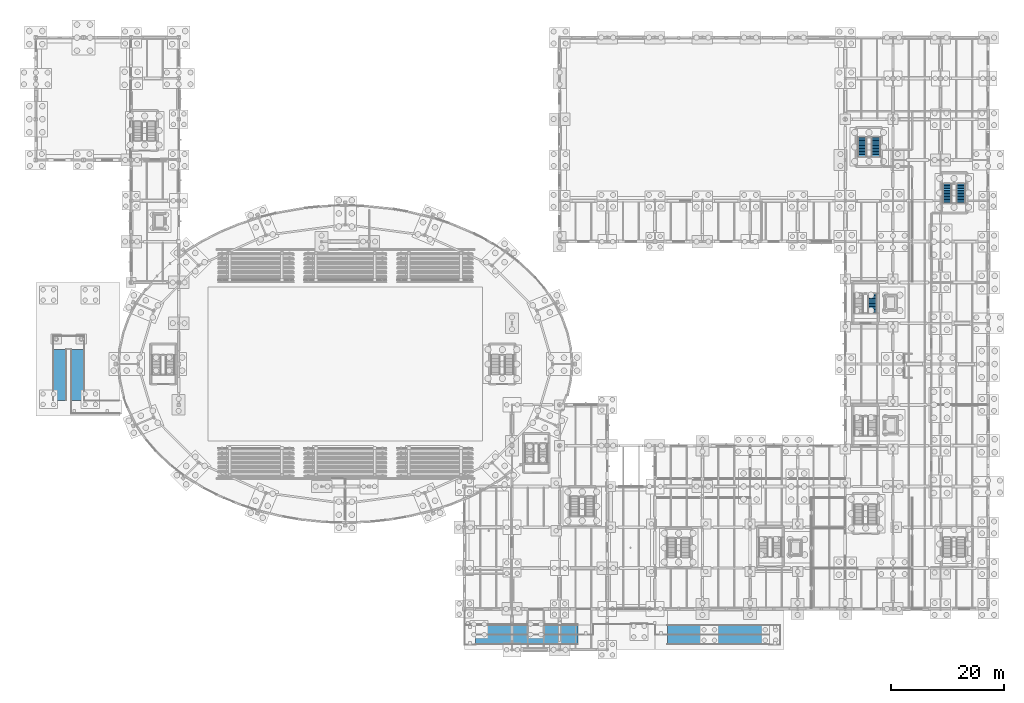
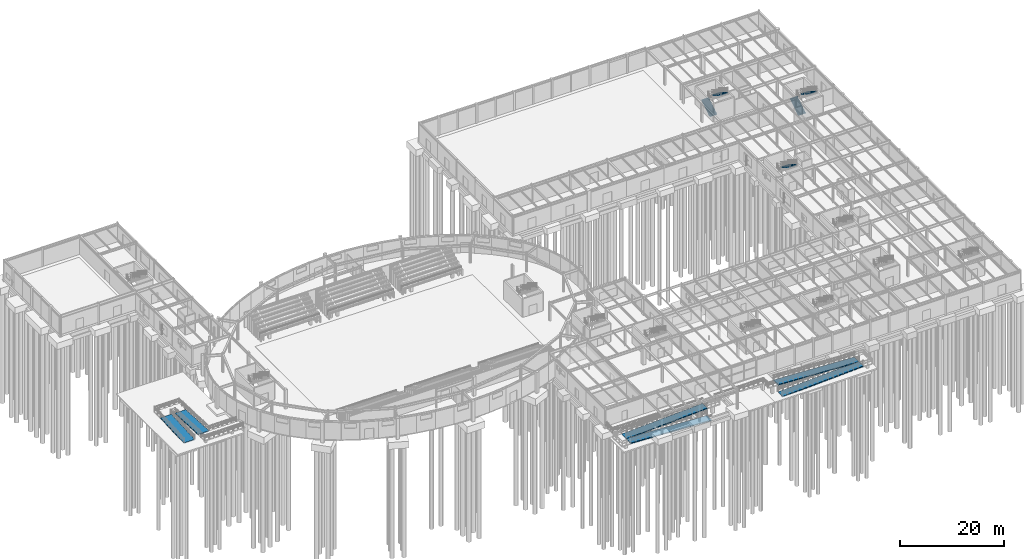
# One storey, part 67 of 93: 6 ramp flights, 5 stair flights, 6 elements without a shape of their own.
"""IFC4 building model written with IfcOpenShell, lengths in metres."""

import ifcopenshell
import ifcopenshell.guid

model = None  # the IFC model being written
_history = None  # IfcOwnerHistory: only IFC2X3 demands one
_inside = {}  # id of a spatial element -> (the spatial element, [elements in it])
_under = {}  # id of a project, library or spatial element -> (it, [spatial elements below it])
_declared = {}  # id of a project -> (the project, [libraries it declares])
_typed = {}  # id of a type object -> (the type object, [elements of that type])
_made_of = {}  # id of a material, layer set ... -> (it, [elements and type objects made of it])


def new_model(schema):
    """Start an empty IFC model of exactly this schema.

    Asked for "IFC4X3", IfcOpenShell would pick the latest addendum, in which some entities
    have other attributes; the version numbers below select the first issue.
    IFC2X3 requires an IfcOwnerHistory on every rooted entity: one is made here for all.
    """
    global model, _history
    if schema == "IFC4X3":
        model = ifcopenshell.file(schema_version=(4, 3, 0, 0))
    else:
        model = ifcopenshell.file(schema=schema)
    _inside.clear()
    _under.clear()
    _declared.clear()
    _typed.clear()
    _made_of.clear()
    _history = None
    if model.schema == "IFC2X3":
        org = make("IfcOrganization", Name="unknown")
        user = make(
            "IfcPersonAndOrganization",
            ThePerson=make("IfcPerson", FamilyName="unknown"),
            TheOrganization=org,
        )
        app = make(
            "IfcApplication",
            ApplicationDeveloper=org,
            Version="unknown",
            ApplicationFullName="unknown",
            ApplicationIdentifier="unknown",
        )
        _history = make(
            "IfcOwnerHistory",
            OwningUser=user,
            OwningApplication=app,
            ChangeAction="ADDED",
            CreationDate=0,
        )
    return model


def make(cls, **values):
    """One entity of the class cls with the attributes given. An attribute that is None is left unset."""
    return model.create_entity(
        cls, **{name: value for name, value in values.items() if value is not None}
    )


def rooted(cls, **values):
    """An entity with a GlobalId (a new one), such as an element, a storey or a relation."""
    return make(cls, GlobalId=ifcopenshell.guid.new(), OwnerHistory=_history, **values)


def si_unit(unit_type, name, prefix=None):
    """IfcSIUnit, for example si_unit("LENGTHUNIT", "METRE", prefix="MILLI")."""
    return make("IfcSIUnit", UnitType=unit_type, Prefix=prefix, Name=name)


def derived_unit(unit_type, elements):
    """IfcDerivedUnit: a product of units, each with its exponent."""
    return make(
        "IfcDerivedUnit",
        Elements=[
            make("IfcDerivedUnitElement", Unit=unit, Exponent=power)
            for unit, power in elements
        ],
        UnitType=unit_type,
    )


def assignment(units):
    """IfcUnitAssignment: the units of a project."""
    return None if units is None else make("IfcUnitAssignment", Units=units)


def point(xyz):
    """IfcCartesianPoint."""
    return None if xyz is None else make("IfcCartesianPoint", Coordinates=xyz)


def direction(xyz):
    """IfcDirection."""
    return None if xyz is None else make("IfcDirection", DirectionRatios=xyz)


def frame(location, z_axis=None, x_axis=None):
    """IfcAxis2Placement3D, a coordinate frame: its origin and axes. An axis left out is left unset."""
    return make(
        "IfcAxis2Placement3D",
        Location=point(location),
        Axis=direction(z_axis),
        RefDirection=direction(x_axis),
    )


def origin():
    """The frame at (0, 0, 0) with its axes left unset."""
    return frame((0.0, 0.0, 0.0))


def place(relative_to, where):
    """IfcLocalPlacement: puts the frame where relative to a parent placement (None: the world)."""
    return make(
        "IfcLocalPlacement", PlacementRelTo=relative_to, RelativePlacement=where
    )


def context(
    kind, dimensions, precision=None, world=None, true_north=None, identifier=None
):
    """IfcGeometricRepresentationContext, for example the 3D "Model" context."""
    return make(
        "IfcGeometricRepresentationContext",
        ContextIdentifier=identifier,
        ContextType=kind,
        CoordinateSpaceDimension=dimensions,
        Precision=precision,
        WorldCoordinateSystem=world,
        TrueNorth=true_north,
    )


def subcontext(parent, identifier, kind, view, scale=None):
    """IfcGeometricRepresentationSubContext, for example "Body" below "Model"."""
    return make(
        "IfcGeometricRepresentationSubContext",
        ContextIdentifier=identifier,
        ContextType=kind,
        ParentContext=parent,
        TargetScale=scale,
        TargetView=view,
    )


def project(units=None, contexts=None):
    """IfcProject with its units and contexts."""
    return rooted(
        "IfcProject",
        Name="project",
        RepresentationContexts=contexts,
        UnitsInContext=assignment(units),
    )


def spatial(cls, under=None, at=None, **own):
    """A site, building, storey or space (cls), placed at a placement, below another one or the project."""
    s = rooted(cls, ObjectPlacement=at, **own)
    if under is not None:
        _under.setdefault(under.id(), (under, []))[1].append(s)
    return s


def polyline(points):
    """IfcPolyline through the points."""
    return make("IfcPolyline", Points=[point(p) for p in points])


def outline(outer, holes=None, kind="AREA"):
    """IfcArbitraryClosedProfileDef: a profile drawn as a closed curve; with holes, ...WithVoids."""
    if holes is None:
        return make("IfcArbitraryClosedProfileDef", ProfileType=kind, OuterCurve=outer)
    return make(
        "IfcArbitraryProfileDefWithVoids",
        ProfileType=kind,
        OuterCurve=outer,
        InnerCurves=holes,
    )


def extrude(swept, where, along, depth):
    """IfcExtrudedAreaSolid: the profile swept, set in the frame where, extruded along a direction by depth."""
    return make(
        "IfcExtrudedAreaSolid",
        SweptArea=swept,
        Position=where,
        ExtrudedDirection=direction(along),
        Depth=depth,
    )


def shape(context_of_items, identifier, shape_type, items):
    """IfcShapeRepresentation: the items that make up one representation, for example the "Body"."""
    return make(
        "IfcShapeRepresentation",
        ContextOfItems=context_of_items,
        RepresentationIdentifier=identifier,
        RepresentationType=shape_type,
        Items=items,
    )


def material(Name=None, Category=None):
    """IfcMaterial."""
    return make("IfcMaterial", Name=Name, Category=Category)


def made_of(thing, what):
    """Note that an element or type object is made of a material, layer set ...; save() writes the relation."""
    if what is not None:
        _made_of.setdefault(what.id(), (what, []))[1].append(thing)
    return thing


def type_object(cls, material=None, **own):
    """A type object (cls), such as IfcWallType, which elements share."""
    return made_of(rooted(cls, **own), material)


def element(
    cls,
    number,
    at=None,
    inside=None,
    cuts=None,
    type_object=None,
    material=None,
    context=None,
    identifier="Body",
    shape_type=None,
    held_by="IfcProductDefinitionShape",
    body=None,
    shapes=None,
    **own,
):
    """One element of the class cls, such as IfcWall. Its Tag is "e" and its number.

    at: its placement. inside: the storey or other place that contains it. cuts: it is an
    opening in that element (IfcRelVoidsElement). A single representation is given by context,
    identifier, shape_type and body (its items); several are given by shapes. held_by: the class
    of the entity that holds the representations. save() writes the other relations.
    """
    e = rooted(cls, Tag="e%d" % number, ObjectPlacement=at, **own)
    if body is not None:
        shapes = [shape(context, identifier, shape_type, body)]
    if shapes is not None:
        e.Representation = make(held_by, Representations=shapes)
    if inside is not None:
        _inside.setdefault(inside.id(), (inside, []))[1].append(e)
    if cuts is not None:
        rooted(
            "IfcRelVoidsElement", RelatingBuildingElement=cuts, RelatedOpeningElement=e
        )
    if type_object is not None:
        _typed.setdefault(type_object.id(), (type_object, []))[1].append(e)
    return made_of(e, material)


def aggregate(whole, parts):
    """IfcRelAggregates: a whole, such as a stair, and the parts it consists of."""
    return rooted("IfcRelAggregates", RelatingObject=whole, RelatedObjects=parts)


def save(model, path):
    """Write the relations noted so far, then the file.

    IfcRelAggregates (storeys below a building ...), IfcRelContainedInSpatialStructure (elements
    in a storey), IfcRelDefinesByType, IfcRelAssociatesMaterial and IfcRelDeclares: one each for
    every whole, place, type object, material and project.
    """
    for whole, parts in _under.values():
        aggregate(whole, parts)
    for where, things in _inside.values():
        rooted(
            "IfcRelContainedInSpatialStructure",
            RelatedElements=things,
            RelatingStructure=where,
        )
    for kind, things in _typed.values():
        rooted("IfcRelDefinesByType", RelatedObjects=things, RelatingType=kind)
    for what, things in _made_of.values():
        rooted("IfcRelAssociatesMaterial", RelatedObjects=things, RelatingMaterial=what)
    for by, libraries in _declared.values():
        rooted("IfcRelDeclares", RelatingContext=by, RelatedDefinitions=libraries)
    model.write(path)


model = new_model("IFC4")

# Units and contexts
model_context = context("Model", 3, precision=1e-05, world=origin(), true_north=direction((0.0, 1.0)))
body_context = subcontext(model_context, "Body", "Model", "MODEL_VIEW")
ifc_project = project(units=[si_unit("LENGTHUNIT", "METRE"), si_unit("AREAUNIT", "SQUARE_METRE"), si_unit("VOLUMEUNIT", "CUBIC_METRE"), si_unit("PLANEANGLEUNIT", "RADIAN"), si_unit("MASSUNIT", "GRAM", prefix="KILO"), derived_unit("THERMALTRANSMITTANCEUNIT", [(si_unit("MASSUNIT", "GRAM", prefix="KILO"), 1), (si_unit("TIMEUNIT", "SECOND"), -3), (si_unit("THERMODYNAMICTEMPERATUREUNIT", "KELVIN"), -1)])], contexts=[model_context])

# Site, building, storey
site_placement = place(None, origin())
site = spatial("IfcSite", under=ifc_project, at=site_placement, CompositionType="ELEMENT")
building_placement = place(site_placement, origin())
building = spatial("IfcBuilding", under=site, at=building_placement, Name="Kharveza Railside Sports Centre", CompositionType="ELEMENT")
storey_placement = place(building_placement, origin())
storey = spatial("IfcBuildingStorey", under=building, at=storey_placement, Name="L00", CompositionType="ELEMENT", Elevation=0.0)

# Stair, stair flight
ifc_material = material(Name="Concrete C35/45", Category="concrete")
stair_type = type_object("IfcStairType", Name="ST-A45", PredefinedType="TWO_STRAIGHT_RUN_STAIR", material=ifc_material)
stair_1_placement = place(storey_placement, origin())
stair_1 = element("IfcStair", 1, at=stair_1_placement, inside=storey, type_object=stair_type, Name="STR-ST2-L00", PredefinedType="TWO_STRAIGHT_RUN_STAIR")
stair_flight_type = type_object("IfcStairFlightType", Name="SF-A13", PredefinedType="STRAIGHT", material=ifc_material)
stair_flight_1_placement = place(storey_placement, frame((147.6201171875, 62.760009765625, 2.25), z_axis=(0.0, 0.0, 1.0), x_axis=(0.0, -1.0, 0.0)))
stair_flight_1 = element("IfcStairFlight", 2, at=stair_flight_1_placement, type_object=stair_flight_type, Name="STR-ST2-L00-FL2", NumberOfRisers=13, NumberOfTreads=12, PredefinedType="STRAIGHT", RiserHeight=0.173077, TreadLength=0.275, context=body_context, shape_type="SweptSolid", body=[
    extrude(outline(polyline([(0.0, 0.0), (0.0, 0.173095703125), (0.27490234375, 0.173095703125), (0.27490234375, 0.34619140625), (0.550048828125, 0.34619140625), (0.550048828125, 0.519287109375), (0.824951171875, 0.519287109375), (0.824951171875, 0.6923828125), (1.10009765625, 0.6923828125), (1.10009765625, 0.865478515625), (1.375, 0.865478515625), (1.375, 1.03857421875), (1.64990234375, 1.03857421875), (1.64990234375, 1.21142578125), (1.925048828125, 1.21142578125), (1.925048828125, 1.384521484375), (2.199951171875, 1.384521484375), (2.199951171875, 1.5576171875), (2.47509765625, 1.5576171875), (2.47509765625, 1.730712890625), (2.75, 1.730712890625), (2.75, 1.90380859375), (3.02490234375, 1.90380859375), (3.02490234375, 2.076904296875), (3.300048828125, 2.076904296875), (3.300048828125, 2.25), (3.300048828125, 1.887939453125), (0.30029296875, 0.0), (0.0, 0.0)])), frame((0.0, 0.800048828125, 0.0), z_axis=(0.0, -1.0, 0.0), x_axis=(1.0, 0.0, 0.0)), (0.0, 0.0, 1.0), 1.60009765625),
])
aggregate(stair_1, [stair_flight_1])

# Stair, stair flights
stair_2_placement = place(storey_placement, origin())
stair_2 = element("IfcStair", 3, at=stair_2_placement, inside=storey, type_object=stair_type, Name="STR-ST4-L00", PredefinedType="TWO_STRAIGHT_RUN_STAIR")
stair_flight_2_placement = place(storey_placement, frame((160.780029296875, 78.860107421875, 0.0), z_axis=(0.0, 0.0, 1.0), x_axis=(0.0, 1.0, 0.0)))
stair_flight_2 = element("IfcStairFlight", 4, at=stair_flight_2_placement, type_object=stair_flight_type, Name="STR-ST4-L00-FL1", NumberOfRisers=13, NumberOfTreads=12, PredefinedType="STRAIGHT", RiserHeight=0.173077, TreadLength=0.275, context=body_context, shape_type="SweptSolid", body=[
    extrude(outline(polyline([(0.0, 0.0), (0.0, 0.173095703125), (0.27490234375, 0.173095703125), (0.27490234375, 0.34619140625), (0.550048828125, 0.34619140625), (0.550048828125, 0.519287109375), (0.824951171875, 0.519287109375), (0.824951171875, 0.6923828125), (1.10009765625, 0.6923828125), (1.10009765625, 0.865478515625), (1.375, 0.865478515625), (1.375, 1.03857421875), (1.64990234375, 1.03857421875), (1.64990234375, 1.21142578125), (1.925048828125, 1.21142578125), (1.925048828125, 1.384521484375), (2.199951171875, 1.384521484375), (2.199951171875, 1.5576171875), (2.47509765625, 1.5576171875), (2.47509765625, 1.730712890625), (2.75, 1.730712890625), (2.75, 1.90380859375), (3.02490234375, 1.90380859375), (3.02490234375, 2.076904296875), (3.300048828125, 2.076904296875), (3.300048828125, 2.25), (3.300048828125, 1.887939453125), (0.30029296875, 0.0), (0.0, 0.0)])), frame((0.0, 0.800048828125, 0.0), z_axis=(0.0, -1.0, 0.0), x_axis=(1.0, 0.0, 0.0)), (0.0, 0.0, 1.0), 1.60009765625),
])
stair_flight_3_placement = place(storey_placement, frame((163.219970703125, 82.159912109375, 2.25), z_axis=(0.0, 0.0, 1.0), x_axis=(0.0, -1.0, 0.0)))
stair_flight_3 = element("IfcStairFlight", 5, at=stair_flight_3_placement, type_object=stair_flight_type, Name="STR-ST4-L00-FL2", NumberOfRisers=13, NumberOfTreads=12, PredefinedType="STRAIGHT", RiserHeight=0.173077, TreadLength=0.275, context=body_context, shape_type="SweptSolid", body=[
    extrude(outline(polyline([(0.0, 0.0), (0.0, 0.173095703125), (0.27490234375, 0.173095703125), (0.27490234375, 0.34619140625), (0.550048828125, 0.34619140625), (0.550048828125, 0.519287109375), (0.824951171875, 0.519287109375), (0.824951171875, 0.6923828125), (1.10009765625, 0.6923828125), (1.10009765625, 0.865478515625), (1.375, 0.865478515625), (1.375, 1.03857421875), (1.64990234375, 1.03857421875), (1.64990234375, 1.21142578125), (1.925048828125, 1.21142578125), (1.925048828125, 1.384521484375), (2.199951171875, 1.384521484375), (2.199951171875, 1.5576171875), (2.47509765625, 1.5576171875), (2.47509765625, 1.730712890625), (2.75, 1.730712890625), (2.75, 1.90380859375), (3.02490234375, 1.90380859375), (3.02490234375, 2.076904296875), (3.300048828125, 2.076904296875), (3.300048828125, 2.25), (3.300048828125, 1.887939453125), (0.30029296875, 0.0), (0.0, 0.0)])), frame((0.0, 0.800048828125, 0.0), z_axis=(0.0, -1.0, 0.0), x_axis=(1.0, 0.0, 0.0)), (0.0, 0.0, 1.0), 1.60009765625),
])
aggregate(stair_2, [stair_flight_2, stair_flight_3])

stair_3_placement = place(storey_placement, origin())
stair_3 = element("IfcStair", 6, at=stair_3_placement, inside=storey, type_object=stair_type, Name="STR-ST13-L00", PredefinedType="TWO_STRAIGHT_RUN_STAIR")
stair_flight_4_placement = place(storey_placement, frame((145.780029296875, 87.06005859375, 0.0), z_axis=(0.0, 0.0, 1.0), x_axis=(0.0, 1.0, 0.0)))
stair_flight_4 = element("IfcStairFlight", 7, at=stair_flight_4_placement, type_object=stair_flight_type, Name="STR-ST13-L00-FL1", NumberOfRisers=13, NumberOfTreads=12, PredefinedType="STRAIGHT", RiserHeight=0.173077, TreadLength=0.275, context=body_context, shape_type="SweptSolid", body=[
    extrude(outline(polyline([(0.0, 0.0), (0.0, 0.173095703125), (0.27490234375, 0.173095703125), (0.27490234375, 0.34619140625), (0.550048828125, 0.34619140625), (0.550048828125, 0.519287109375), (0.824951171875, 0.519287109375), (0.824951171875, 0.6923828125), (1.10009765625, 0.6923828125), (1.10009765625, 0.865478515625), (1.375, 0.865478515625), (1.375, 1.03857421875), (1.64990234375, 1.03857421875), (1.64990234375, 1.21142578125), (1.925048828125, 1.21142578125), (1.925048828125, 1.384521484375), (2.199951171875, 1.384521484375), (2.199951171875, 1.5576171875), (2.47509765625, 1.5576171875), (2.47509765625, 1.730712890625), (2.75, 1.730712890625), (2.75, 1.90380859375), (3.02490234375, 1.90380859375), (3.02490234375, 2.076904296875), (3.300048828125, 2.076904296875), (3.300048828125, 2.25), (3.300048828125, 1.887939453125), (0.30029296875, 0.0), (0.0, 0.0)])), frame((0.0, 0.800048828125, 0.0), z_axis=(0.0, -1.0, 0.0), x_axis=(1.0, 0.0, 0.0)), (0.0, 0.0, 1.0), 1.60009765625),
])
stair_flight_5_placement = place(storey_placement, frame((148.219970703125, 90.360107421875, 2.25), z_axis=(0.0, 0.0, 1.0), x_axis=(0.0, -1.0, 0.0)))
stair_flight_5 = element("IfcStairFlight", 8, at=stair_flight_5_placement, type_object=stair_flight_type, Name="STR-ST13-L00-FL2", NumberOfRisers=13, NumberOfTreads=12, PredefinedType="STRAIGHT", RiserHeight=0.173077, TreadLength=0.275, context=body_context, shape_type="SweptSolid", body=[
    extrude(outline(polyline([(0.0, 0.0), (0.0, 0.173095703125), (0.27490234375, 0.173095703125), (0.27490234375, 0.34619140625), (0.550048828125, 0.34619140625), (0.550048828125, 0.519287109375), (0.824951171875, 0.519287109375), (0.824951171875, 0.6923828125), (1.10009765625, 0.6923828125), (1.10009765625, 0.865478515625), (1.375, 0.865478515625), (1.375, 1.03857421875), (1.64990234375, 1.03857421875), (1.64990234375, 1.21142578125), (1.925048828125, 1.21142578125), (1.925048828125, 1.384521484375), (2.199951171875, 1.384521484375), (2.199951171875, 1.5576171875), (2.47509765625, 1.5576171875), (2.47509765625, 1.730712890625), (2.75, 1.730712890625), (2.75, 1.90380859375), (3.02490234375, 1.90380859375), (3.02490234375, 2.076904296875), (3.300048828125, 2.076904296875), (3.300048828125, 2.25), (3.300048828125, 1.887939453125), (0.30029296875, 0.0), (0.0, 0.0)])), frame((0.0, 0.800048828125, 0.0), z_axis=(0.0, -1.0, 0.0), x_axis=(1.0, 0.0, 0.0)), (0.0, 0.0, 1.0), 1.60009765625),
])
aggregate(stair_3, [stair_flight_4, stair_flight_5])

# Ramp, ramp flights
ramp_type_1 = type_object("IfcRampType", Name="RM-AP01", PredefinedType="TWO_STRAIGHT_RUN_RAMP", material=ifc_material)
ramp_1_placement = place(storey_placement, origin())
ramp_1 = element("IfcRamp", 9, at=ramp_1_placement, inside=storey, type_object=ramp_type_1, Name="RMP-EXT-W", PredefinedType="TWO_STRAIGHT_RUN_RAMP")
ramp_flight_type_1 = type_object("IfcRampFlightType", Name="RF-AP01", PredefinedType="STRAIGHT", material=ifc_material)
ramp_flight_1_placement = place(storey_placement, frame((95.60009765625, 1.800048828125, -1.800048828125), z_axis=(0.0, 0.0, 1.0), x_axis=(-1.0, 0.0, 0.0)))
ramp_flight_1 = element("IfcRampFlight", 10, at=ramp_flight_1_placement, type_object=ramp_flight_type_1, Name="RMP-EXT-W-FL1", PredefinedType="STRAIGHT", context=body_context, shape_type="SweptSolid", body=[
    extrude(outline(polyline([(0.0, 0.0), (0.0, -0.219970703125), (18.0, 0.679931640625), (18.0, 0.89990234375), (0.0, 0.0)])), frame((0.0, 0.89990234375, 0.0), z_axis=(0.0, -1.0, 0.0), x_axis=(1.0, 0.0, 0.0)), (0.0, 0.0, 1.0), 1.800048828125),
])
ramp_flight_2_placement = place(storey_placement, frame((77.60009765625, 3.47998046875, -0.89990234375), z_axis=(0.0, 0.0, 1.0), x_axis=(1.0, 0.0, 0.0)))
ramp_flight_2 = element("IfcRampFlight", 11, at=ramp_flight_2_placement, type_object=ramp_flight_type_1, Name="RMP-EXT-W-FL2", PredefinedType="STRAIGHT", context=body_context, shape_type="SweptSolid", body=[
    extrude(outline(polyline([(0.0, 0.0), (0.0, -0.219970703125), (18.0, 0.679931640625), (18.0, 0.89990234375), (0.0, 0.0)])), frame((0.0, 0.89990234375, 0.0), z_axis=(0.0, -1.0, 0.0), x_axis=(1.0, 0.0, 0.0)), (0.0, 0.0, 1.0), 1.800048828125),
])
aggregate(ramp_1, [ramp_flight_1, ramp_flight_2])

ramp_2_placement = place(storey_placement, origin())
ramp_2 = element("IfcRamp", 12, at=ramp_2_placement, inside=storey, type_object=ramp_type_1, Name="RMP-EXT-E", PredefinedType="TWO_STRAIGHT_RUN_RAMP")
ramp_flight_3_placement = place(storey_placement, frame((111.39990234375, 1.800048828125, -1.800048828125), z_axis=(0.0, 0.0, 1.0), x_axis=(1.0, 0.0, 0.0)))
ramp_flight_3 = element("IfcRampFlight", 13, at=ramp_flight_3_placement, type_object=ramp_flight_type_1, Name="RMP-EXT-E-FL1", PredefinedType="STRAIGHT", context=body_context, shape_type="SweptSolid", body=[
    extrude(outline(polyline([(0.0, 0.0), (0.0, -0.219970703125), (18.0, 0.679931640625), (18.0, 0.89990234375), (0.0, 0.0)])), frame((0.0, 0.89990234375, 0.0), z_axis=(0.0, -1.0, 0.0), x_axis=(1.0, 0.0, 0.0)), (0.0, 0.0, 1.0), 1.800048828125),
])
ramp_flight_4_placement = place(storey_placement, frame((129.39990234375, 3.47998046875, -0.89990234375), z_axis=(0.0, 0.0, 1.0), x_axis=(-1.0, 0.0, 0.0)))
ramp_flight_4 = element("IfcRampFlight", 14, at=ramp_flight_4_placement, type_object=ramp_flight_type_1, Name="RMP-EXT-E-FL2", PredefinedType="STRAIGHT", context=body_context, shape_type="SweptSolid", body=[
    extrude(outline(polyline([(0.0, 0.0), (0.0, -0.219970703125), (18.0, 0.679931640625), (18.0, 0.89990234375), (0.0, 0.0)])), frame((0.0, 0.89990234375, 0.0), z_axis=(0.0, -1.0, 0.0), x_axis=(1.0, 0.0, 0.0)), (0.0, 0.0, 1.0), 1.800048828125),
])
aggregate(ramp_2, [ramp_flight_3, ramp_flight_4])

ramp_type_2 = type_object("IfcRampType", Name="RM-EX02", PredefinedType="TWO_STRAIGHT_RUN_RAMP", material=ifc_material)
ramp_3_placement = place(storey_placement, origin())
ramp_3 = element("IfcRamp", 15, at=ramp_3_placement, inside=storey, type_object=ramp_type_2, Name="RMP-EXT-DRUMW", PredefinedType="TWO_STRAIGHT_RUN_RAMP")
ramp_flight_type_2 = type_object("IfcRampFlightType", Name="RF-EX02", PredefinedType="STRAIGHT", material=ifc_material)
ramp_flight_5_placement = place(storey_placement, frame((4.199951171875, 44.0, -0.89990234375), z_axis=(0.0, 0.0, 1.0), x_axis=(0.0, 1.0, 0.0)))
ramp_flight_5 = element("IfcRampFlight", 16, at=ramp_flight_5_placement, type_object=ramp_flight_type_2, Name="RMP-EXT-DRUMW-FL1", PredefinedType="STRAIGHT", context=body_context, shape_type="SweptSolid", body=[
    extrude(outline(polyline([(0.0, 0.0), (0.0, -0.219970703125), (9.0, 0.22998046875), (9.0, 0.449951171875), (0.0, 0.0)])), frame((0.0, 1.199951171875, 0.0), z_axis=(0.0, -1.0, 0.0), x_axis=(1.0, 0.0, 0.0)), (0.0, 0.0, 1.0), 2.39990234375),
])
ramp_flight_6_placement = place(storey_placement, frame((7.39990234375, 53.0, -0.449951171875), z_axis=(0.0, 0.0, 1.0), x_axis=(0.0, -1.0, 0.0)))
ramp_flight_6 = element("IfcRampFlight", 17, at=ramp_flight_6_placement, type_object=ramp_flight_type_2, Name="RMP-EXT-DRUMW-FL2", PredefinedType="STRAIGHT", context=body_context, shape_type="SweptSolid", body=[
    extrude(outline(polyline([(0.0, 0.0), (0.0, -0.219970703125), (9.0, 0.22998046875), (9.0, 0.449951171875), (0.0, 0.0)])), frame((0.0, 1.199951171875, 0.0), z_axis=(0.0, -1.0, 0.0), x_axis=(1.0, 0.0, 0.0)), (0.0, 0.0, 1.0), 2.39990234375),
])
aggregate(ramp_3, [ramp_flight_5, ramp_flight_6])

save(model, "model.ifc")
